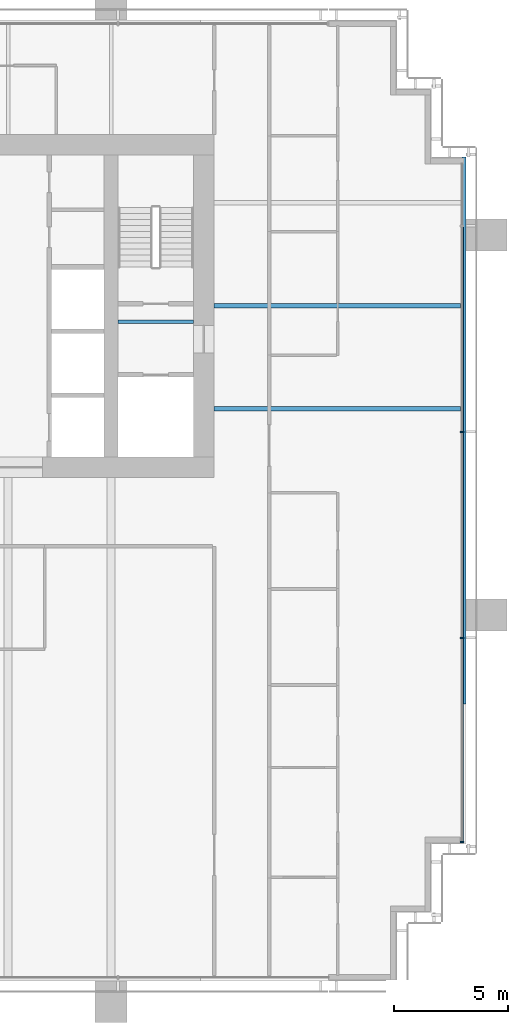
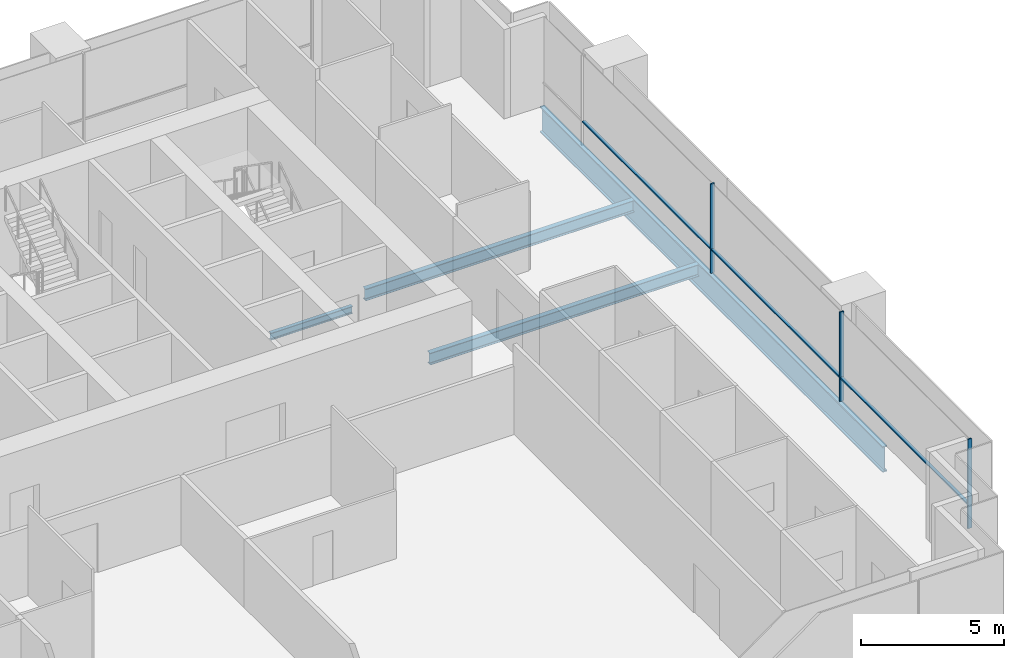
# One storey, part 6 of 17: 6 members, 4 beams, 1 element without a shape of its own.
"""IFC4 building model written with IfcOpenShell, lengths in metres."""

import ifcopenshell
import ifcopenshell.guid

model = None  # the IFC model being written
_history = None  # IfcOwnerHistory: only IFC2X3 demands one
_inside = {}  # id of a spatial element -> (the spatial element, [elements in it])
_under = {}  # id of a project, library or spatial element -> (it, [spatial elements below it])
_declared = {}  # id of a project -> (the project, [libraries it declares])
_typed = {}  # id of a type object -> (the type object, [elements of that type])
_made_of = {}  # id of a material, layer set ... -> (it, [elements and type objects made of it])


def new_model(schema):
    """Start an empty IFC model of exactly this schema.

    Asked for "IFC4X3", IfcOpenShell would pick the latest addendum, in which some entities
    have other attributes; the version numbers below select the first issue.
    IFC2X3 requires an IfcOwnerHistory on every rooted entity: one is made here for all.
    """
    global model, _history
    if schema == "IFC4X3":
        model = ifcopenshell.file(schema_version=(4, 3, 0, 0))
    else:
        model = ifcopenshell.file(schema=schema)
    _inside.clear()
    _under.clear()
    _declared.clear()
    _typed.clear()
    _made_of.clear()
    _history = None
    if model.schema == "IFC2X3":
        org = make("IfcOrganization", Name="unknown")
        user = make(
            "IfcPersonAndOrganization",
            ThePerson=make("IfcPerson", FamilyName="unknown"),
            TheOrganization=org,
        )
        app = make(
            "IfcApplication",
            ApplicationDeveloper=org,
            Version="unknown",
            ApplicationFullName="unknown",
            ApplicationIdentifier="unknown",
        )
        _history = make(
            "IfcOwnerHistory",
            OwningUser=user,
            OwningApplication=app,
            ChangeAction="ADDED",
            CreationDate=0,
        )
    return model


def make(cls, **values):
    """One entity of the class cls with the attributes given. An attribute that is None is left unset."""
    return model.create_entity(
        cls, **{name: value for name, value in values.items() if value is not None}
    )


def rooted(cls, **values):
    """An entity with a GlobalId (a new one), such as an element, a storey or a relation."""
    return make(cls, GlobalId=ifcopenshell.guid.new(), OwnerHistory=_history, **values)


def si_unit(unit_type, name, prefix=None):
    """IfcSIUnit, for example si_unit("LENGTHUNIT", "METRE", prefix="MILLI")."""
    return make("IfcSIUnit", UnitType=unit_type, Prefix=prefix, Name=name)


def assignment(units):
    """IfcUnitAssignment: the units of a project."""
    return None if units is None else make("IfcUnitAssignment", Units=units)


def point(xyz):
    """IfcCartesianPoint."""
    return None if xyz is None else make("IfcCartesianPoint", Coordinates=xyz)


def direction(xyz):
    """IfcDirection."""
    return None if xyz is None else make("IfcDirection", DirectionRatios=xyz)


def frame(location, z_axis=None, x_axis=None):
    """IfcAxis2Placement3D, a coordinate frame: its origin and axes. An axis left out is left unset."""
    return make(
        "IfcAxis2Placement3D",
        Location=point(location),
        Axis=direction(z_axis),
        RefDirection=direction(x_axis),
    )


def frame_2d(location, x_axis=None):
    """IfcAxis2Placement2D, a coordinate frame in the plane: its origin and x axis."""
    return make(
        "IfcAxis2Placement2D", Location=point(location), RefDirection=direction(x_axis)
    )


def origin():
    """The frame at (0, 0, 0) with its axes left unset."""
    return frame((0.0, 0.0, 0.0))


def origin_2d():
    """The frame at (0, 0) in the plane with its x axis left unset."""
    return frame_2d((0.0, 0.0))


def place(relative_to, where):
    """IfcLocalPlacement: puts the frame where relative to a parent placement (None: the world)."""
    return make(
        "IfcLocalPlacement", PlacementRelTo=relative_to, RelativePlacement=where
    )


def context(
    kind, dimensions, precision=None, world=None, true_north=None, identifier=None
):
    """IfcGeometricRepresentationContext, for example the 3D "Model" context."""
    return make(
        "IfcGeometricRepresentationContext",
        ContextIdentifier=identifier,
        ContextType=kind,
        CoordinateSpaceDimension=dimensions,
        Precision=precision,
        WorldCoordinateSystem=world,
        TrueNorth=true_north,
    )


def subcontext(parent, identifier, kind, view, scale=None):
    """IfcGeometricRepresentationSubContext, for example "Body" below "Model"."""
    return make(
        "IfcGeometricRepresentationSubContext",
        ContextIdentifier=identifier,
        ContextType=kind,
        ParentContext=parent,
        TargetScale=scale,
        TargetView=view,
    )


def project(units=None, contexts=None):
    """IfcProject with its units and contexts."""
    return rooted(
        "IfcProject",
        Name="project",
        RepresentationContexts=contexts,
        UnitsInContext=assignment(units),
    )


def spatial(cls, under=None, at=None, **own):
    """A site, building, storey or space (cls), placed at a placement, below another one or the project."""
    s = rooted(cls, ObjectPlacement=at, **own)
    if under is not None:
        _under.setdefault(under.id(), (under, []))[1].append(s)
    return s


def profile(cls, at=None, kind="AREA", **sizes):
    """A parametric profile (cls). Its sizes go by their IFC names, for example OverallWidth=200.0."""
    return make(cls, ProfileType=kind, Position=at, **sizes)


def rectangle(**sizes):
    """IfcRectangleProfileDef."""
    return profile("IfcRectangleProfileDef", **sizes)


def i_section(**sizes):
    """IfcIShapeProfileDef."""
    return profile("IfcIShapeProfileDef", **sizes)


def extrude(swept, where, along, depth):
    """IfcExtrudedAreaSolid: the profile swept, set in the frame where, extruded along a direction by depth."""
    return make(
        "IfcExtrudedAreaSolid",
        SweptArea=swept,
        Position=where,
        ExtrudedDirection=direction(along),
        Depth=depth,
    )


def shape(context_of_items, identifier, shape_type, items):
    """IfcShapeRepresentation: the items that make up one representation, for example the "Body"."""
    return make(
        "IfcShapeRepresentation",
        ContextOfItems=context_of_items,
        RepresentationIdentifier=identifier,
        RepresentationType=shape_type,
        Items=items,
    )


def material(Name=None, Category=None):
    """IfcMaterial."""
    return make("IfcMaterial", Name=Name, Category=Category)


def material_profile(
    of_material, cross_section, Name=None, Category=None, Priority=None
):
    """IfcMaterialProfile: a cross section and its material."""
    return make(
        "IfcMaterialProfile",
        Name=Name,
        Material=of_material,
        Profile=cross_section,
        Priority=Priority,
        Category=Category,
    )


def profile_set(profiles, Name=None, composite=None):
    """IfcMaterialProfileSet."""
    return make(
        "IfcMaterialProfileSet",
        Name=Name,
        MaterialProfiles=profiles,
        CompositeProfile=composite,
    )


def made_of(thing, what):
    """Note that an element or type object is made of a material, layer set ...; save() writes the relation."""
    if what is not None:
        _made_of.setdefault(what.id(), (what, []))[1].append(thing)
    return thing


def type_object(cls, material=None, **own):
    """A type object (cls), such as IfcWallType, which elements share."""
    return made_of(rooted(cls, **own), material)


def element(
    cls,
    number,
    at=None,
    inside=None,
    cuts=None,
    type_object=None,
    material=None,
    context=None,
    identifier="Body",
    shape_type=None,
    held_by="IfcProductDefinitionShape",
    body=None,
    shapes=None,
    **own,
):
    """One element of the class cls, such as IfcWall. Its Tag is "e" and its number.

    at: its placement. inside: the storey or other place that contains it. cuts: it is an
    opening in that element (IfcRelVoidsElement). A single representation is given by context,
    identifier, shape_type and body (its items); several are given by shapes. held_by: the class
    of the entity that holds the representations. save() writes the other relations.
    """
    e = rooted(cls, Tag="e%d" % number, ObjectPlacement=at, **own)
    if body is not None:
        shapes = [shape(context, identifier, shape_type, body)]
    if shapes is not None:
        e.Representation = make(held_by, Representations=shapes)
    if inside is not None:
        _inside.setdefault(inside.id(), (inside, []))[1].append(e)
    if cuts is not None:
        rooted(
            "IfcRelVoidsElement", RelatingBuildingElement=cuts, RelatedOpeningElement=e
        )
    if type_object is not None:
        _typed.setdefault(type_object.id(), (type_object, []))[1].append(e)
    return made_of(e, material)


def aggregate(whole, parts):
    """IfcRelAggregates: a whole, such as a stair, and the parts it consists of."""
    return rooted("IfcRelAggregates", RelatingObject=whole, RelatedObjects=parts)


def save(model, path):
    """Write the relations noted so far, then the file.

    IfcRelAggregates (storeys below a building ...), IfcRelContainedInSpatialStructure (elements
    in a storey), IfcRelDefinesByType, IfcRelAssociatesMaterial and IfcRelDeclares: one each for
    every whole, place, type object, material and project.
    """
    for whole, parts in _under.values():
        aggregate(whole, parts)
    for where, things in _inside.values():
        rooted(
            "IfcRelContainedInSpatialStructure",
            RelatedElements=things,
            RelatingStructure=where,
        )
    for kind, things in _typed.values():
        rooted("IfcRelDefinesByType", RelatedObjects=things, RelatingType=kind)
    for what, things in _made_of.values():
        rooted("IfcRelAssociatesMaterial", RelatedObjects=things, RelatingMaterial=what)
    for by, libraries in _declared.values():
        rooted("IfcRelDeclares", RelatingContext=by, RelatedDefinitions=libraries)
    model.write(path)


model = new_model("IFC4")

# Units and contexts
model_context = context("Model", 3, precision=1e-05, world=origin(), true_north=direction((0.0, 1.0)))
body_context = subcontext(model_context, "Body", "Model", "MODEL_VIEW")
ifc_project = project(units=[si_unit("LENGTHUNIT", "METRE"), si_unit("AREAUNIT", "SQUARE_METRE"), si_unit("VOLUMEUNIT", "CUBIC_METRE"), si_unit("PLANEANGLEUNIT", "RADIAN"), si_unit("MASSUNIT", "GRAM", prefix="KILO")], contexts=[model_context])

# Site, building, storey
site_placement = place(None, origin())
site = spatial("IfcSite", under=ifc_project, at=site_placement, CompositionType="ELEMENT")
building_placement = place(site_placement, origin())
building = spatial("IfcBuilding", under=site, at=building_placement, Name="Rattan Terrace Tower", CompositionType="ELEMENT")
storey_placement = place(building_placement, frame((0.0, 0.0, 146.10009765625)))
storey = spatial("IfcBuildingStorey", under=building, at=storey_placement, Name="L33", CompositionType="ELEMENT", Elevation=146.10009765625)

# Curtain wall, members
ifc_material_1 = material(Name="Aluminium and glass", Category="aluminium")
curtain_wall_type = type_object("IfcCurtainWallType", Name="Facade Unitised Curtain Wall", PredefinedType="NOTDEFINED", material=ifc_material_1)
curtain_wall_placement = place(storey_placement, origin())
curtain_wall = element("IfcCurtainWall", 1, at=curtain_wall_placement, inside=storey, type_object=curtain_wall_type, Name="Curtain wall L33-1", PredefinedType="NOTDEFINED")
ifc_material_2 = material(Name="Aluminium", Category="aluminium")
ifc_material_profile_1 = material_profile(ifc_material_2, rectangle(XDim=0.06005859375, YDim=0.159912109375, at=origin_2d()), Name="Aluminium 60x160")
ifc_profile_set_1 = profile_set([ifc_material_profile_1], Name="Aluminium")
member_type_1 = type_object("IfcMemberType", Name="Facade CW Mullion 60x160", PredefinedType="MULLION", material=ifc_profile_set_1)
member_1_placement = place(storey_placement, frame((28.830078125, -23.425048828125, 0.0), z_axis=(0.0, 0.0, 1.0), x_axis=(0.0, 1.0, 0.0)))
member_1 = element("IfcMember", 2, at=member_1_placement, type_object=member_type_1, Name="Mullion cwl-L33-001.1", PredefinedType="MULLION", context=body_context, shape_type="SweptSolid", body=[
    extrude(rectangle(XDim=0.06005859375, YDim=0.159912109375, at=origin_2d()), origin(), (0.0, 0.0, 1.0), 3.7998046875),
])
member_2_placement = place(storey_placement, frame((28.830078125, -14.5, 0.0), z_axis=(0.0, 0.0, 1.0), x_axis=(0.0, 1.0, 0.0)))
member_2 = element("IfcMember", 3, at=member_2_placement, type_object=member_type_1, Name="Mullion cwl-L33-001.2", PredefinedType="MULLION", context=body_context, shape_type="SweptSolid", body=[
    extrude(rectangle(XDim=0.06005859375, YDim=0.159912109375, at=origin_2d()), origin(), (0.0, 0.0, 1.0), 3.7998046875),
])
member_3_placement = place(storey_placement, frame((28.830078125, -5.5, 0.0), z_axis=(0.0, 0.0, 1.0), x_axis=(0.0, 1.0, 0.0)))
member_3 = element("IfcMember", 4, at=member_3_placement, type_object=member_type_1, Name="Mullion cwl-L33-001.3", PredefinedType="MULLION", context=body_context, shape_type="SweptSolid", body=[
    extrude(rectangle(XDim=0.06005859375, YDim=0.159912109375, at=origin_2d()), origin(), (0.0, 0.0, 1.0), 3.7998046875),
])
ifc_material_3 = material(Name="Aluminium", Category="aluminium")
ifc_material_profile_2 = material_profile(ifc_material_3, rectangle(XDim=0.1201171875, YDim=0.06005859375, at=origin_2d()), Name="Aluminium 120x60")
ifc_profile_set_2 = profile_set([ifc_material_profile_2], Name="Aluminium")
member_type_2 = type_object("IfcMemberType", Name="Facade CW Transom 120x60", PredefinedType="USERDEFINED", material=ifc_profile_set_2)
member_4_placement = place(storey_placement, frame((28.830078125, -23.39501953125, 1.0), z_axis=(0.0, 1.0, 0.0), x_axis=(-1.0, 0.0, 0.0)))
member_4 = element("IfcMember", 5, at=member_4_placement, type_object=member_type_2, Name="Transom cwl-L33-001.1", ObjectType="TRANSOM", PredefinedType="USERDEFINED", context=body_context, shape_type="SweptSolid", body=[
    extrude(rectangle(XDim=0.1201171875, YDim=0.06005859375, at=origin_2d()), origin(), (0.0, 0.0, 1.0), 8.864990234375),
])
member_5_placement = place(storey_placement, frame((28.830078125, -14.469970703125, 1.0), z_axis=(0.0, 1.0, 0.0), x_axis=(-1.0, 0.0, 0.0)))
member_5 = element("IfcMember", 6, at=member_5_placement, type_object=member_type_2, Name="Transom cwl-L33-001.2", ObjectType="TRANSOM", PredefinedType="USERDEFINED", context=body_context, shape_type="SweptSolid", body=[
    extrude(rectangle(XDim=0.1201171875, YDim=0.06005859375, at=origin_2d()), origin(), (0.0, 0.0, 1.0), 8.93994140625),
])
member_6_placement = place(storey_placement, frame((28.830078125, -5.469970703125, 1.0), z_axis=(0.0, 1.0, 0.0), x_axis=(-1.0, 0.0, 0.0)))
member_6 = element("IfcMember", 7, at=member_6_placement, type_object=member_type_2, Name="Transom cwl-L33-001.3", ObjectType="TRANSOM", PredefinedType="USERDEFINED", context=body_context, shape_type="SweptSolid", body=[
    extrude(rectangle(XDim=0.1201171875, YDim=0.06005859375, at=origin_2d()), origin(), (0.0, 0.0, 1.0), 8.93994140625),
])
aggregate(curtain_wall, [member_1, member_2, member_3, member_4, member_5, member_6])

# Beams
ifc_material_4 = material(Name="Steel S460", Category="steel")
ifc_material_profile_3 = material_profile(ifc_material_4, i_section(OverallWidth=0.179931640625, OverallDepth=1.10009765625, WebThickness=0.01611328125, FlangeThickness=0.050048828125, at=origin_2d()), Name="PG 1100x180-16-50")
ifc_profile_set_3 = profile_set([ifc_material_profile_3], Name="Steel S460")
beam_type_1 = type_object("IfcBeamType", Name="Frame edge girder PG 1100x180-16-50", PredefinedType="SPANDREL", material=ifc_profile_set_3)
beam_1_placement = place(storey_placement, frame((28.909912109375, 6.5, -0.75), z_axis=(0.0, -1.0, 0.0), x_axis=(1.0, 0.0, 0.0)))
element("IfcBeam", 8, at=beam_1_placement, inside=storey, type_object=beam_type_1, Name="gdr-L33-004", PredefinedType="SPANDREL", context=body_context, shape_type="SweptSolid", body=[
    extrude(i_section(OverallWidth=0.179931640625, OverallDepth=1.10009765625, WebThickness=0.01611328125, FlangeThickness=0.050048828125, at=origin_2d()), origin(), (0.0, 0.0, 1.0), 23.89990234375),
])
ifc_material_5 = material(Name="Steel S355", Category="steel")
ifc_material_profile_4 = material_profile(ifc_material_5, i_section(OverallWidth=0.14990234375, OverallDepth=0.300048828125, WebThickness=0.007080078125, FlangeThickness=0.0107421875, FilletRadius=0.014892578125, at=origin_2d()), Name="IPE 300")
ifc_profile_set_4 = profile_set([ifc_material_profile_4], Name="Steel S355")
beam_type_2 = type_object("IfcBeamType", Name="Frame floor beam IPE 300", PredefinedType="JOIST", material=ifc_profile_set_4)
beam_2_placement = place(storey_placement, frame((13.800048828125, -0.695068359375, -0.35009765625), z_axis=(1.0, 0.0, 0.0), x_axis=(0.0, 1.0, 0.0)))
element("IfcBeam", 9, at=beam_2_placement, inside=storey, type_object=beam_type_2, Name="bm-L33-002", PredefinedType="JOIST", context=body_context, shape_type="SweptSolid", body=[
    extrude(i_section(OverallWidth=0.14990234375, OverallDepth=0.300048828125, WebThickness=0.007080078125, FlangeThickness=0.0107421875, FilletRadius=0.014892578125, at=origin_2d()), origin(), (0.0, 0.0, 1.0), 3.300048828125),
])
ifc_material_6 = material(Name="Steel S355", Category="steel")
ifc_material_profile_5 = material_profile(ifc_material_6, i_section(OverallWidth=0.199951171875, OverallDepth=0.5, WebThickness=0.01025390625, FlangeThickness=0.01611328125, FilletRadius=0.02099609375, at=origin_2d()), Name="IPE 500")
ifc_profile_set_5 = profile_set([ifc_material_profile_5], Name="Steel S355")
beam_type_3 = type_object("IfcBeamType", Name="Frame floor beam IPE 500", PredefinedType="JOIST", material=ifc_profile_set_5)
for number, where, z_axis, x_axis, name in (
    (10, (18.0, -4.5, -0.4501953125), (1.0, 0.0, 0.0), (0.0, 1.0, 0.0), "bm-L33-011"),
    (11, (18.0, 0.0, -0.4501953125), (1.0, 0.0, 0.0), (0.0, 1.0, 0.0), "bm-L33-013"),
):
    element("IfcBeam", number, at=place(storey_placement, frame(where, z_axis=z_axis, x_axis=x_axis)), inside=storey, type_object=beam_type_3, Name=name, PredefinedType="JOIST", context=body_context, shape_type="SweptSolid", body=[
        extrude(i_section(OverallWidth=0.199951171875, OverallDepth=0.5, WebThickness=0.01025390625, FlangeThickness=0.01611328125, FilletRadius=0.02099609375, at=origin_2d()), origin(), (0.0, 0.0, 1.0), 10.820068359375),
    ])

save(model, "model.ifc")
